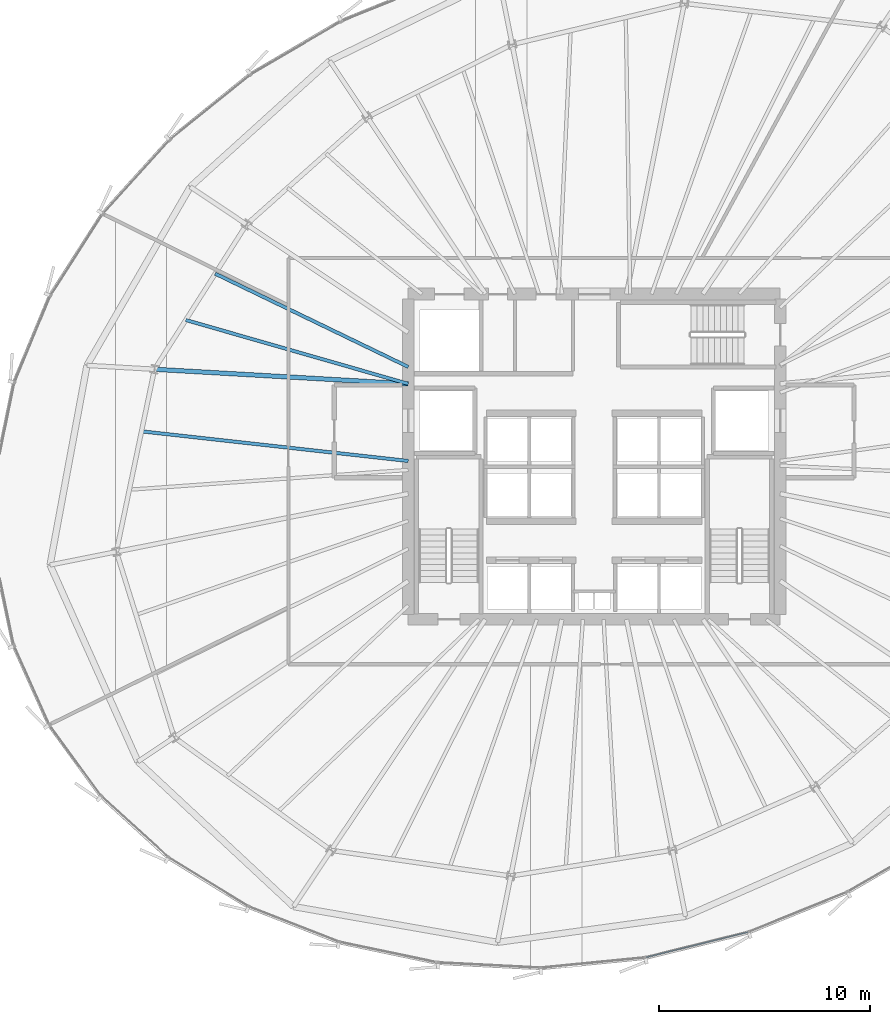
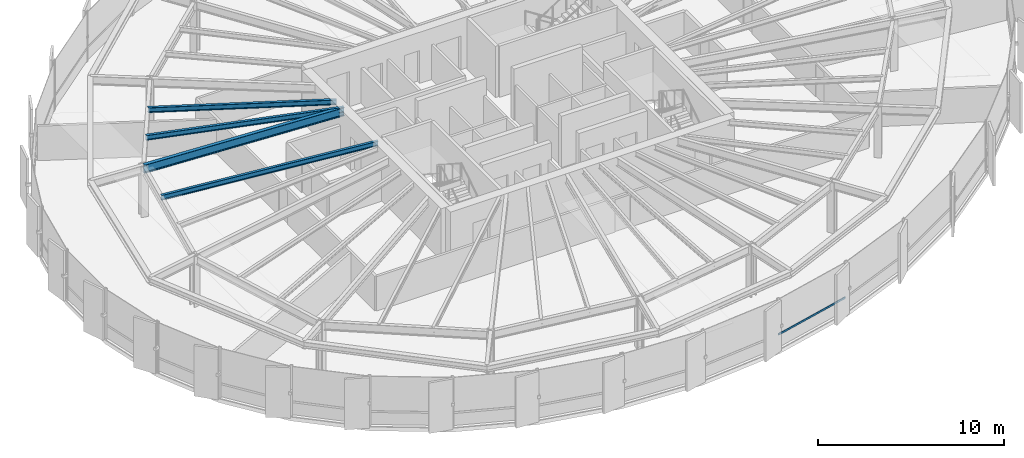
# One storey, part 11 of 35: 4 beams, 1 member, 1 element without a shape of its own.
"""IFC4 building model written with IfcOpenShell, lengths in metres."""

from ifc_helpers import new_model, si_unit, direction, frame, origin, origin_2d, place, context, subcontext, project, spatial, hollow_rectangle, i_section, extrude, source, transform, mapped, material, layer, layer_set, material_profile, profile_set, type_object, element, aggregate, save


model = new_model("IFC4")

# Units and contexts
model_context = context("Model", 3, precision=1e-05, world=origin(), true_north=direction((0.0, 1.0)))
body_context = subcontext(model_context, "Body", "Model", "MODEL_VIEW")
ifc_project = project(units=[si_unit("LENGTHUNIT", "METRE"), si_unit("AREAUNIT", "SQUARE_METRE"), si_unit("VOLUMEUNIT", "CUBIC_METRE"), si_unit("PLANEANGLEUNIT", "RADIAN"), si_unit("MASSUNIT", "GRAM", prefix="KILO"), si_unit("THERMODYNAMICTEMPERATUREUNIT", "KELVIN")], contexts=[model_context])

# Site, building, storey
site_placement = place(None, origin())
site = spatial("IfcSite", under=ifc_project, at=site_placement, CompositionType="ELEMENT")
building_placement = place(site_placement, origin())
building = spatial("IfcBuilding", under=site, at=building_placement, Name="Kethvar Cultural Tower", CompositionType="ELEMENT")
storey_placement = place(building_placement, frame((0.0, 0.0, 107.199951171875)))
storey = spatial("IfcBuildingStorey", under=building, at=storey_placement, Name="L26", CompositionType="ELEMENT", Elevation=107.199951171875)

# Beams
ifc_material_1 = material(Name="Steel S355J2", Category="steel")
ifc_material_profile_1 = material_profile(ifc_material_1, i_section(OverallWidth=0.2099609375, OverallDepth=0.550048828125, WebThickness=0.010986328125, FlangeThickness=0.01708984375, FilletRadius=0.02392578125, at=origin_2d()), Name="Steel S355J2 — IPE550")
ifc_profile_set_1 = profile_set([ifc_material_profile_1], Name="Steel S355J2 — IPE550")
beam_type_1 = type_object("IfcBeamType", Name="BM-IPE550", PredefinedType="BEAM", material=ifc_profile_set_1)
shared_shape_1 = source(origin(), body_context, "Body", "SweptSolid", [
    extrude(i_section(OverallWidth=0.2099609375, OverallDepth=0.550048828125, WebThickness=0.010986328125, FlangeThickness=0.01708984375, FilletRadius=0.02392578125, at=origin_2d()), origin(), (0.0, 0.0, 1.0), 12.03125),
])
beam_1_placement = place(storey_placement, frame((38.0, 31.25, 3.072998046875), z_axis=(-0.998355544741, 0.057325441856, 0.0), x_axis=(-0.057325441856, -0.998355544741, 0.0)))
element("IfcBeam", 1, at=beam_1_placement, inside=storey, type_object=beam_type_1, Name="L26 Primary Radial Beam RB-08", PredefinedType="BEAM", context=body_context, shape_type="MappedRepresentation", body=[
    mapped(shared_shape_1, transform((0.0, 0.0, 0.0), scale=1.0)),
])
ifc_material_profile_2 = material_profile(ifc_material_1, i_section(OverallWidth=0.159912109375, OverallDepth=0.330078125, WebThickness=0.007568359375, FlangeThickness=0.011474609375, FilletRadius=0.01806640625, at=origin_2d()), Name="Steel S355J2 — IPE330")
ifc_profile_set_2 = profile_set([ifc_material_profile_2], Name="Steel S355J2 — IPE330")
beam_type_2 = type_object("IfcBeamType", Name="BM-J330", PredefinedType="JOIST", material=ifc_profile_set_2)
shared_shape_2 = source(origin(), body_context, "Body", "SweptSolid", [
    extrude(i_section(OverallWidth=0.159912109375, OverallDepth=0.330078125, WebThickness=0.007568359375, FlangeThickness=0.011474609375, FilletRadius=0.01806640625, at=origin_2d()), origin(), (0.0, 0.0, 1.0), 10.1455078125),
])
beam_2_placement = place(storey_placement, frame((38.0, 32.05078125, 3.18310546875), z_axis=(-0.90045122575, 0.434956997927, 0.0), x_axis=(-0.434956997927, -0.90045122575, 0.0)))
element("IfcBeam", 2, at=beam_2_placement, inside=storey, type_object=beam_type_2, Name="L26 Composite Floor Joist J-07A", PredefinedType="JOIST", context=body_context, shape_type="MappedRepresentation", body=[
    mapped(shared_shape_2, transform((0.0, 0.0, 0.0), scale=1.0)),
])
shared_shape_3 = source(origin(), body_context, "Body", "SweptSolid", [
    extrude(i_section(OverallWidth=0.159912109375, OverallDepth=0.330078125, WebThickness=0.007568359375, FlangeThickness=0.011474609375, FilletRadius=0.01806640625, at=origin_2d()), origin(), (0.0, 0.0, 1.0), 10.95458984375),
])
beam_3_placement = place(storey_placement, frame((38.0, 31.25, 3.18310546875), z_axis=(-0.96124170623, 0.275707058676, 0.0), x_axis=(-0.275707058676, -0.96124170623, 0.0)))
element("IfcBeam", 3, at=beam_3_placement, inside=storey, type_object=beam_type_2, Name="L26 Composite Floor Joist J-07B", PredefinedType="JOIST", context=body_context, shape_type="MappedRepresentation", body=[
    mapped(shared_shape_3, transform((0.0, 0.0, 0.0), scale=1.0)),
])
shared_shape_4 = source(origin(), body_context, "Body", "SweptSolid", [
    extrude(i_section(OverallWidth=0.159912109375, OverallDepth=0.330078125, WebThickness=0.007568359375, FlangeThickness=0.011474609375, FilletRadius=0.01806640625, at=origin_2d()), origin(), (0.0, 0.0, 1.0), 12.7021484375),
])
beam_4_placement = place(storey_placement, frame((38.0, 27.60009765625, 3.18310546875), z_axis=(-0.993884906591, 0.110420978309, 0.0), x_axis=(-0.110420978309, -0.993884906591, 0.0)))
element("IfcBeam", 4, at=beam_4_placement, inside=storey, type_object=beam_type_2, Name="L26 Composite Floor Joist J-08A", PredefinedType="JOIST", context=body_context, shape_type="MappedRepresentation", body=[
    mapped(shared_shape_4, transform((0.0, 0.0, 0.0), scale=1.0)),
])

# Curtain wall, member
ifc_material_2 = material(Name="Aluminium 6063-T6", Category="aluminium")
ifc_layer = layer(ifc_material_2, 0.179931640625, Name="Aluminium 6063-T6", Category="aluminium")
ifc_layer_set = layer_set([ifc_layer], Name="Aluminium 6063-T6 (180 mm)")
curtain_wall_type = type_object("IfcCurtainWallType", Name="CW-SYS-03-Z2", PredefinedType="NOTDEFINED", material=ifc_layer_set)
curtain_wall_placement = place(storey_placement, origin())
curtain_wall = element("IfcCurtainWall", 5, at=curtain_wall_placement, inside=storey, type_object=curtain_wall_type, Name="L26 Curtain Wall Run 05", PredefinedType="NOTDEFINED")
ifc_material_profile_3 = material_profile(ifc_material_2, hollow_rectangle(XDim=0.054931640625, YDim=0.1201171875, WallThickness=0.00390625, at=origin_2d()), Name="Aluminium 6063-T6 — RHS120x55x4")
ifc_profile_set_3 = profile_set([ifc_material_profile_3], Name="Aluminium 6063-T6 — RHS120x55x4")
member_type = type_object("IfcMemberType", Name="CW-SYS-03-Z2-TRN", PredefinedType="USERDEFINED", material=ifc_profile_set_3)
shared_shape_5 = source(origin(), body_context, "Body", "SweptSolid", [
    extrude(hollow_rectangle(XDim=0.054931640625, YDim=0.1201171875, WallThickness=0.00390625, at=origin_2d()), origin(), (0.0, 0.0, 1.0), 4.9609375),
])
member_placement = place(storey_placement, frame((49.259033203125, 4.10595703125, 0.949951171875), z_axis=(0.970721576661, 0.240207453267, 0.0), x_axis=(-0.240207453267, 0.970721576661, 0.0)))
member = element("IfcMember", 6, at=member_placement, type_object=member_type, Name="CW-L26-R05 Transom 3", ObjectType="TRANSOM", PredefinedType="USERDEFINED", context=body_context, shape_type="MappedRepresentation", body=[
    mapped(shared_shape_5, transform((0.0, 0.0, 0.0), scale=1.0)),
])
aggregate(curtain_wall, [member])

save(model, "model.ifc")
